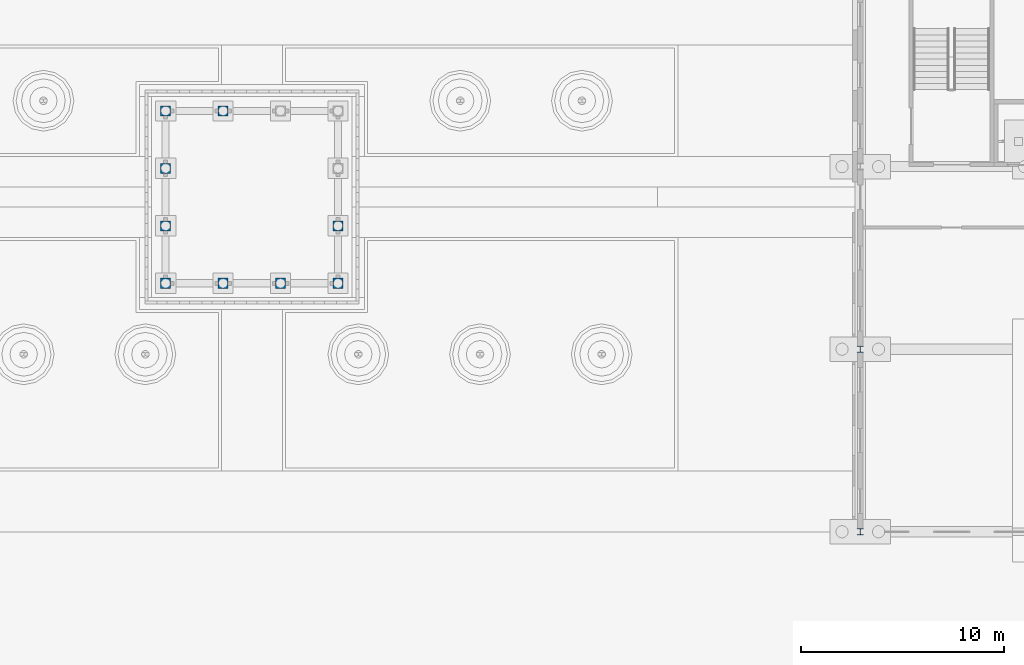
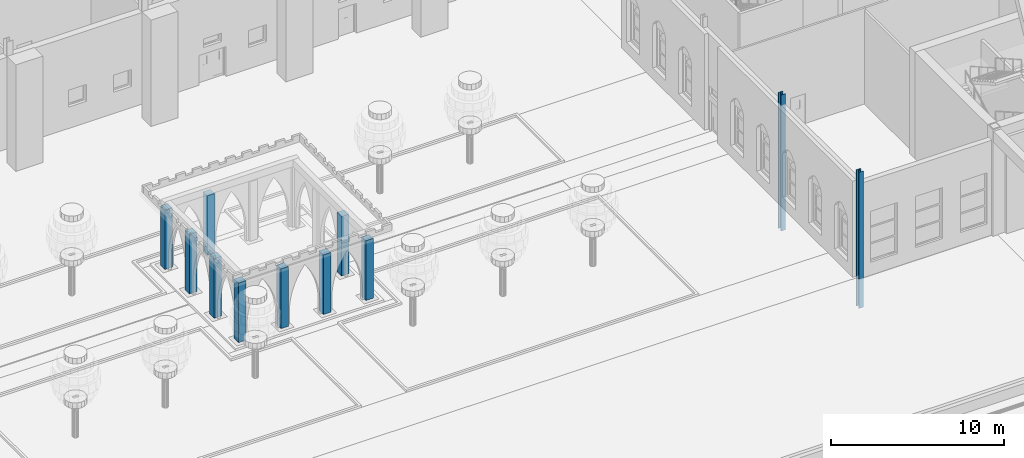
# One storey, part 13 of 250: 11 columns.
"""IFC4 building model written with IfcOpenShell, lengths in metres."""

from ifc_helpers import new_model, si_unit, direction, frame, origin, origin_2d, place, context, subcontext, project, spatial, rectangle, i_section, extrude, material, material_profile, profile_set, type_object, element, save


model = new_model("IFC4")

# Units and contexts
model_context = context("Model", 3, precision=1e-05, world=origin(), true_north=direction((0.0, 1.0)))
body_context = subcontext(model_context, "Body", "Model", "MODEL_VIEW")
ifc_project = project(units=[si_unit("LENGTHUNIT", "METRE"), si_unit("AREAUNIT", "SQUARE_METRE"), si_unit("VOLUMEUNIT", "CUBIC_METRE"), si_unit("PLANEANGLEUNIT", "RADIAN"), si_unit("MASSUNIT", "GRAM", prefix="KILO")], contexts=[model_context])

# Site, building, storey
site_placement = place(None, origin())
site = spatial("IfcSite", under=ifc_project, at=site_placement, CompositionType="ELEMENT")
building_placement = place(site_placement, origin())
building = spatial("IfcBuilding", under=site, at=building_placement, Name="Baradari Gate Terminus", CompositionType="ELEMENT")
storey_placement = place(building_placement, origin())
storey = spatial("IfcBuildingStorey", under=building, at=storey_placement, Name="L00", CompositionType="ELEMENT", Elevation=0.0)

# Columns
ifc_material_1 = material(Name="Precast concrete C40/50", Category="concrete")
ifc_material_profile_1 = material_profile(ifc_material_1, rectangle(XDim=0.5, YDim=0.5, at=origin_2d()), Name="RC500X500")
ifc_profile_set_1 = profile_set([ifc_material_profile_1], Name="Precast concrete C40/50")
column_type_1 = type_object("IfcColumnType", Name="Court pavilion column CPC-1 500x500", PredefinedType="COLUMN", material=ifc_profile_set_1)
for number, where, z_axis, x_axis, name in (
    (1, (28.75, 93.25, 0.14990234375), (0.0, 0.0, 1.0), (1.0, 0.0, 0.0), "Court pavilion column 1"),
    (2, (31.583251953125, 93.25, 0.14990234375), (0.0, 0.0, 1.0), (1.0, 0.0, 0.0), "Court pavilion column 2"),
    (3, (34.416748046875, 93.25, 0.14990234375), (0.0, 0.0, 1.0), (1.0, 0.0, 0.0), "Court pavilion column 3"),
    (4, (37.25, 93.25, 0.14990234375), (0.0, 0.0, 1.0), (1.0, 0.0, 0.0), "Court pavilion column 4"),
    (5, (37.25, 96.083251953125, 0.14990234375), (0.0, 0.0, 1.0), (1.0, 0.0, 0.0), "Court pavilion column 5"),
    (6, (31.583251953125, 101.75, 0.14990234375), (0.0, 0.0, 1.0), (1.0, 0.0, 0.0), "Court pavilion column 9"),
    (7, (28.75, 101.75, 0.14990234375), (0.0, 0.0, 1.0), (1.0, 0.0, 0.0), "Court pavilion column 10"),
    (8, (28.75, 98.916748046875, 0.14990234375), (0.0, 0.0, 1.0), (1.0, 0.0, 0.0), "Court pavilion column 11"),
    (9, (28.75, 96.083251953125, 0.14990234375), (0.0, 0.0, 1.0), (1.0, 0.0, 0.0), "Court pavilion column 12"),
):
    element("IfcColumn", number, at=place(storey_placement, frame(where, z_axis=z_axis, x_axis=x_axis)), inside=storey, type_object=column_type_1, Name=name, PredefinedType="COLUMN", context=body_context, shape_type="SweptSolid", body=[
        extrude(rectangle(XDim=0.5, YDim=0.5, at=origin_2d()), origin(), (0.0, 0.0, 1.0), 4.2001953125),
    ])
ifc_material_2 = material(Name="Steel S355", Category="steel")
ifc_material_profile_2 = material_profile(ifc_material_2, i_section(OverallWidth=0.307373046875, OverallDepth=0.314453125, WebThickness=0.011962890625, FlangeThickness=0.018798828125, FilletRadius=0.01513671875, at=origin_2d()), Name="UC 305x305x118")
ifc_profile_set_2 = profile_set([ifc_material_profile_2], Name="Steel S355")
column_type_2 = type_object("IfcColumnType", Name="Head-house column C07 UC 305x305x118", PredefinedType="COLUMN", material=ifc_profile_set_2)
for number, where, z_axis, x_axis, name in (
    (10, (63.0, 81.0, -2.10009765625), (0.0, 0.0, 1.0), (1.0, 0.0, 0.0), "C07 column 8-K L00"),
    (11, (63.0, 90.0, -2.10009765625), (0.0, 0.0, 1.0), (1.0, 0.0, 0.0), "C07 column 8-L L00"),
):
    element("IfcColumn", number, at=place(storey_placement, frame(where, z_axis=z_axis, x_axis=x_axis)), inside=storey, type_object=column_type_2, Name=name, PredefinedType="COLUMN", context=body_context, shape_type="SweptSolid", body=[
        extrude(i_section(OverallWidth=0.307373046875, OverallDepth=0.314453125, WebThickness=0.011962890625, FlangeThickness=0.018798828125, FilletRadius=0.01513671875, at=origin_2d()), origin(), (0.0, 0.0, 1.0), 9.60009765625),
    ])

save(model, "model.ifc")
